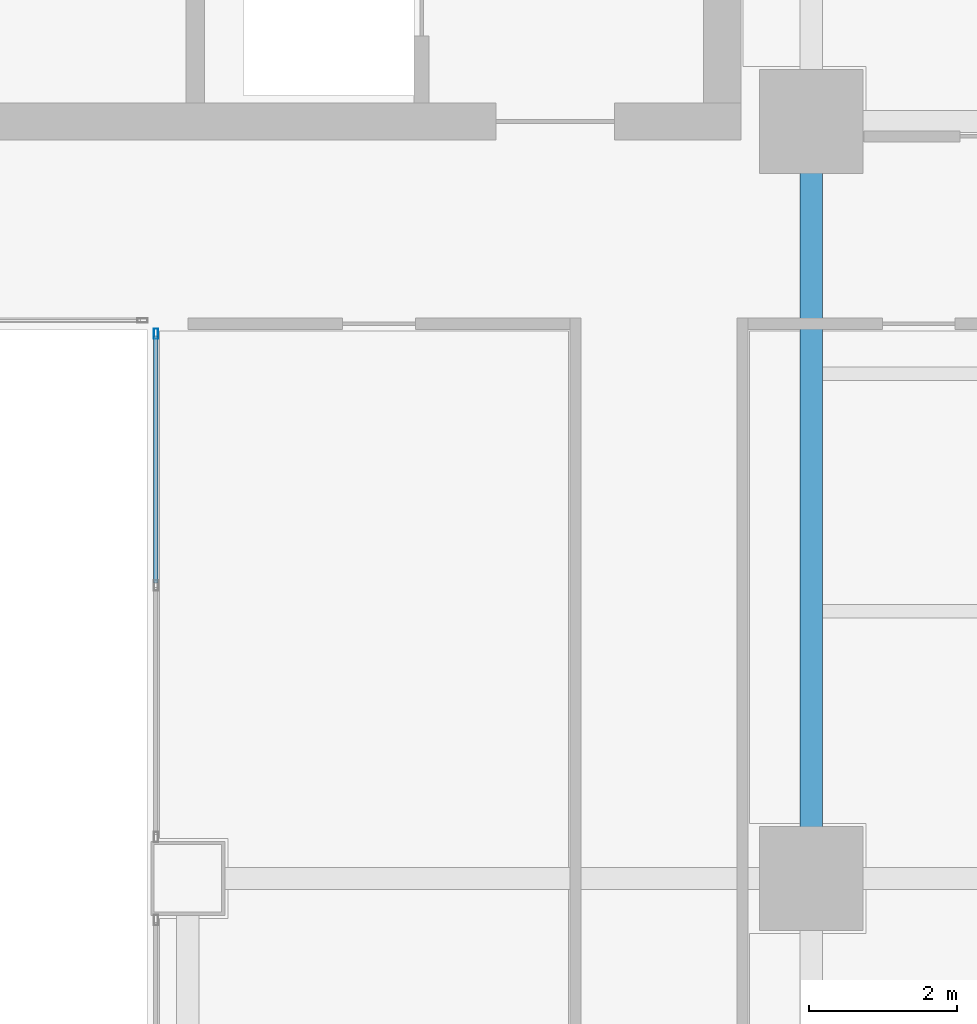
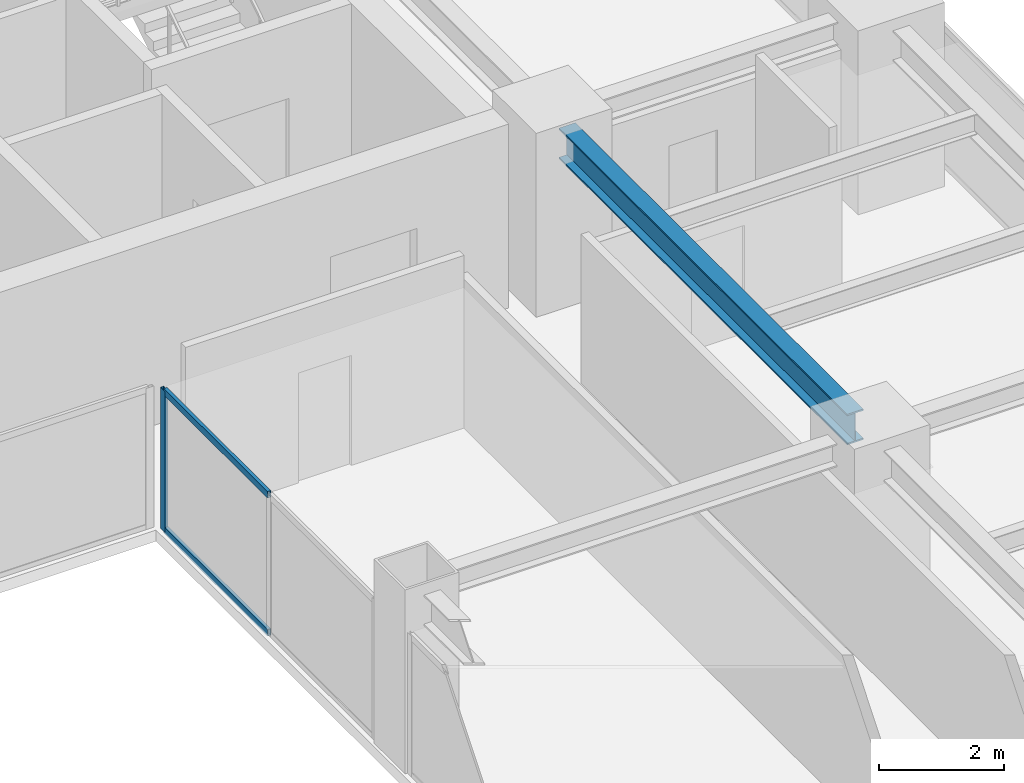
# One storey, part 16 of 28: 3 members, 1 beam, 1 element without a shape of its own.
"""IFC4 building model written with IfcOpenShell, lengths in metres."""

from ifc_helpers import new_model, si_unit, direction, frame, origin, origin_2d, place, context, subcontext, project, spatial, hollow_rectangle, i_section, extrude, source, transform, mapped, material, layer, layer_set, material_profile, profile_set, type_object, element, aggregate, save


model = new_model("IFC4")

# Units and contexts
model_context = context("Model", 3, precision=1e-05, world=origin(), true_north=direction((0.0, 1.0)))
body_context = subcontext(model_context, "Body", "Model", "MODEL_VIEW")
ifc_project = project(units=[si_unit("LENGTHUNIT", "METRE"), si_unit("AREAUNIT", "SQUARE_METRE"), si_unit("VOLUMEUNIT", "CUBIC_METRE"), si_unit("PLANEANGLEUNIT", "RADIAN"), si_unit("MASSUNIT", "GRAM", prefix="KILO")], contexts=[model_context])

# Site, building, storey
site_placement = place(None, origin())
site = spatial("IfcSite", under=ifc_project, at=site_placement, CompositionType="ELEMENT")
building_placement = place(site_placement, origin())
building = spatial("IfcBuilding", under=site, at=building_placement, Name="Sumidabori Civic Tower", CompositionType="ELEMENT")
storey_placement = place(building_placement, frame((0.0, 0.0, 210.800048828125)))
storey = spatial("IfcBuildingStorey", under=building, at=storey_placement, Name="L54", CompositionType="ELEMENT", Elevation=210.800048828125)

# Beam
ifc_material_1 = material(Name="Steel SN490", Category="steel")
ifc_material_profile_1 = material_profile(ifc_material_1, i_section(OverallWidth=0.300048828125, OverallDepth=0.60009765625, WebThickness=0.015380859375, FlangeThickness=0.030029296875, at=origin_2d()), Name="HE 600 B")
ifc_profile_set_1 = profile_set([ifc_material_profile_1], Name="Steel SN490")
beam_type = type_object("IfcBeamType", Name="BM-GIRD-600", PredefinedType="BEAM", material=ifc_profile_set_1)
shared_shape_1 = source(origin(), body_context, "Body", "SweptSolid", [
    extrude(i_section(OverallWidth=0.300048828125, OverallDepth=0.60009765625, WebThickness=0.015380859375, FlangeThickness=0.030029296875, at=origin_2d()), origin(), (0.0, 0.0, 1.0), 9.239990234375),
])
beam_placement = place(storey_placement, frame((16.800048828125, 0.47998046875, 3.079833984375), z_axis=(0.0, 1.0, 0.0), x_axis=(-1.0, 0.0, 0.0)))
element("IfcBeam", 1, at=beam_placement, inside=storey, type_object=beam_type, Name="Primary Girder L54 GY-20", PredefinedType="BEAM", context=body_context, shape_type="MappedRepresentation", body=[
    mapped(shared_shape_1, transform((0.0, 0.0, 0.0), x_axis=(1.0, 0.0, 0.0), y_axis=(0.0, 1.0, 0.0), z_axis=(0.0, 0.0, 1.0), scale=1.0)),
])

# Curtain wall, members
ifc_material_2 = material(Name="Anodised Bronze Aluminium AW-6063-T6", Category="aluminium")
ifc_layer = layer(ifc_material_2, 0.179931640625, Name="Anodised Bronze Aluminium AW-6063-T6")
ifc_layer_set = layer_set([ifc_layer], Name="Anodised Bronze Aluminium AW-6063-T6")
curtain_wall_type = type_object("IfcCurtainWallType", Name="CW-SYS-4", PredefinedType="NOTDEFINED", material=ifc_layer_set)
curtain_wall_placement = place(storey_placement, origin())
curtain_wall = element("IfcCurtainWall", 2, at=curtain_wall_placement, inside=storey, type_object=curtain_wall_type, Name="Curtain Wall CW:L54:R06", PredefinedType="NOTDEFINED")
ifc_material_profile_2 = material_profile(ifc_material_2, hollow_rectangle(XDim=0.06005859375, YDim=0.139892578125, WallThickness=0.0048828125, at=origin_2d()), Name="ALU MULLION 140x60")
ifc_profile_set_2 = profile_set([ifc_material_profile_2], Name="Anodised Bronze Aluminium AW-6063-T6")
member_type_1 = type_object("IfcMemberType", Name="CW-MUL-140", PredefinedType="MULLION", material=ifc_profile_set_2)
shared_shape_2 = source(origin(), body_context, "Body", "SweptSolid", [
    extrude(hollow_rectangle(XDim=0.06005859375, YDim=0.139892578125, WallThickness=0.0048828125, at=origin_2d()), origin(), (0.0, 0.0, 1.0), 2.760009765625),
])
member_1_placement = place(storey_placement, frame((7.969970703125, 7.340087890625, 0.0), z_axis=(0.0, 0.0, 1.0), x_axis=(1.0, 0.0, 0.0)))
member_1 = element("IfcMember", 3, at=member_1_placement, type_object=member_type_1, Name="CW-4 mullion 1", PredefinedType="MULLION", context=body_context, shape_type="MappedRepresentation", body=[
    mapped(shared_shape_2, transform((0.0, 0.0, 0.0), x_axis=(1.0, 0.0, 0.0), y_axis=(0.0, 1.0, 0.0), z_axis=(0.0, 0.0, 1.0), scale=1.0)),
])
ifc_material_profile_3 = material_profile(ifc_material_2, hollow_rectangle(XDim=0.06005859375, YDim=0.1298828125, WallThickness=0.0048828125, at=origin_2d()), Name="ALU TRANSOM 130x60")
ifc_profile_set_3 = profile_set([ifc_material_profile_3], Name="Anodised Bronze Aluminium AW-6063-T6")
member_type_2 = type_object("IfcMemberType", Name="CW-TRN-130", PredefinedType="USERDEFINED", material=ifc_profile_set_3)
shared_shape_3 = source(origin(), body_context, "Body", "SweptSolid", [
    extrude(hollow_rectangle(XDim=0.06005859375, YDim=0.1298828125, WallThickness=0.0048828125, at=origin_2d()), origin(), (0.0, 0.0, 1.0), 3.330078125),
])
member_2_placement = place(storey_placement, frame((7.969970703125, 7.31005859375, 0.030029296875), z_axis=(0.0, -1.0, 0.0), x_axis=(1.0, 0.0, 0.0)))
member_2 = element("IfcMember", 4, at=member_2_placement, type_object=member_type_2, Name="CW-4 transom 1.1", ObjectType="TRANSOM", PredefinedType="USERDEFINED", context=body_context, shape_type="MappedRepresentation", body=[
    mapped(shared_shape_3, transform((0.0, 0.0, 0.0), x_axis=(1.0, 0.0, 0.0), y_axis=(0.0, 1.0, 0.0), z_axis=(0.0, 0.0, 1.0), scale=1.0)),
])
member_3_placement = place(storey_placement, frame((7.969970703125, 7.31005859375, 2.72998046875), z_axis=(0.0, -1.0, 0.0), x_axis=(1.0, 0.0, 0.0)))
member_3 = element("IfcMember", 5, at=member_3_placement, type_object=member_type_2, Name="CW-4 transom 1.2", ObjectType="TRANSOM", PredefinedType="USERDEFINED", context=body_context, shape_type="MappedRepresentation", body=[
    mapped(shared_shape_3, transform((0.0, 0.0, 0.0), x_axis=(1.0, 0.0, 0.0), y_axis=(0.0, 1.0, 0.0), z_axis=(0.0, 0.0, 1.0), scale=1.0)),
])
aggregate(curtain_wall, [member_1, member_2, member_3])

save(model, "model.ifc")
